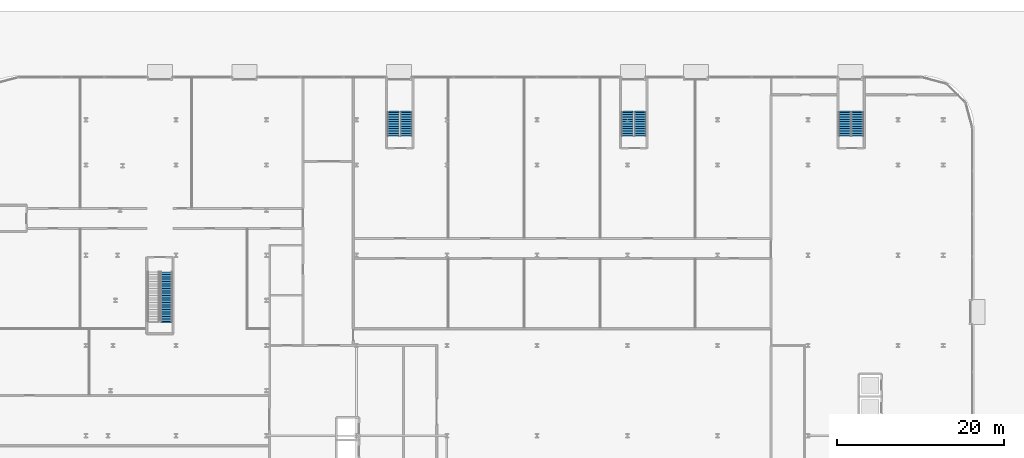
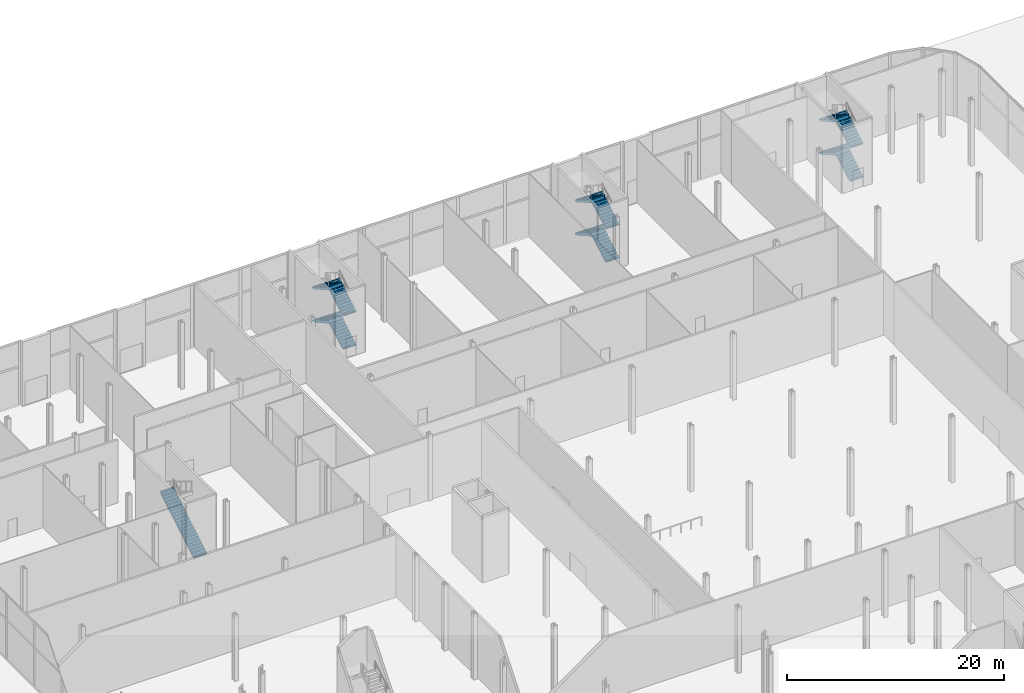
# One storey, part 34 of 46: 13 stair flights, 4 elements without a shape of their own.
"""IFC4 building model written with IfcOpenShell, lengths in metres."""

from ifc_helpers import new_model, si_unit, direction, frame, origin, place, context, subcontext, project, spatial, polyline, outline, extrude, material, layer, layer_set, type_object, element, aggregate, save


model = new_model("IFC4")

# Units and contexts
model_context = context("Model", 3, precision=1e-05, world=origin(), true_north=direction((0.0, 1.0)))
body_context = subcontext(model_context, "Body", "Model", "MODEL_VIEW")
ifc_project = project(units=[si_unit("LENGTHUNIT", "METRE"), si_unit("AREAUNIT", "SQUARE_METRE"), si_unit("VOLUMEUNIT", "CUBIC_METRE"), si_unit("PLANEANGLEUNIT", "RADIAN"), si_unit("MASSUNIT", "GRAM", prefix="KILO")], contexts=[model_context])

# Site, building, storey
site_placement = place(None, origin())
site = spatial("IfcSite", under=ifc_project, at=site_placement, CompositionType="ELEMENT")
building_placement = place(site_placement, origin())
building = spatial("IfcBuilding", under=site, at=building_placement, Name="Kheshtan School and Residences Tower", CompositionType="ELEMENT")
storey_placement = place(building_placement, origin())
storey = spatial("IfcBuildingStorey", under=building, at=storey_placement, Name="L00", CompositionType="ELEMENT", Elevation=0.0)

# Stair, stair flight
ifc_material = material(Name="Concrete C40/50", Category="concrete")
stair_type = type_object("IfcStairType", Name="Exit stair, half-turn", PredefinedType="HALF_TURN_STAIR", material=ifc_material)
stair_1_placement = place(storey_placement, origin())
stair_1 = element("IfcStair", 1, at=stair_1_placement, inside=storey, type_object=stair_type, Name="L00 Protected Exit Stair ST3", PredefinedType="HALF_TURN_STAIR")
ifc_layer = layer(ifc_material, 0.14990234375)
ifc_layer_set = layer_set([ifc_layer], Name="Stair flight 1400 Concrete C40/50")
stair_flight_type = type_object("IfcStairFlightType", Name="Stair flight 1400 Concrete C40/50", PredefinedType="STRAIGHT", material=ifc_layer_set)
stair_flight_1_placement = place(storey_placement, frame((35.64990234375, 80.89990234375, 0.0), z_axis=(0.0, 0.0, 1.0), x_axis=(0.0, 1.0, 0.0)))
stair_flight_1 = element("IfcStairFlight", 2, at=stair_flight_1_placement, type_object=stair_flight_type, Name="ST3 flight 1", NumberOfRisers=22, NumberOfTreads=21, PredefinedType="STRAIGHT", RiserHeight=0.170454545, TreadLength=0.28, context=body_context, shape_type="SweptSolid", body=[
    extrude(outline(polyline([(-0.14990234375, -0.10009765625), (-0.14990234375, 0.0), (0.0, 0.0), (0.0, 0.17041015625), (0.280029296875, 0.17041015625), (0.280029296875, 0.3408203125), (0.56005859375, 0.3408203125), (0.56005859375, 0.511474609375), (0.840087890625, 0.511474609375), (0.840087890625, 0.681884765625), (1.1201171875, 0.681884765625), (1.1201171875, 0.852294921875), (1.39990234375, 0.852294921875), (1.39990234375, 1.022705078125), (1.679931640625, 1.022705078125), (1.679931640625, 1.193115234375), (1.9599609375, 1.193115234375), (1.9599609375, 1.363525390625), (2.239990234375, 1.363525390625), (2.239990234375, 1.5341796875), (2.52001953125, 1.5341796875), (2.52001953125, 1.70458984375), (2.800048828125, 1.70458984375), (2.800048828125, 1.875), (3.080078125, 1.875), (3.080078125, 2.04541015625), (3.360107421875, 2.04541015625), (3.360107421875, 2.2158203125), (3.639892578125, 2.2158203125), (3.639892578125, 2.386474609375), (3.919921875, 2.386474609375), (3.919921875, 2.556884765625), (4.199951171875, 2.556884765625), (4.199951171875, 2.727294921875), (4.47998046875, 2.727294921875), (4.47998046875, 2.897705078125), (4.760009765625, 2.897705078125), (4.760009765625, 3.068115234375), (5.0400390625, 3.068115234375), (5.0400390625, 3.238525390625), (5.320068359375, 3.238525390625), (5.320068359375, 3.4091796875), (5.60009765625, 3.4091796875), (5.60009765625, 3.57958984375), (5.8798828125, 3.57958984375), (5.8798828125, 3.75), (5.8798828125, 3.77001953125), (6.02978515625, 3.77001953125), (6.02978515625, 3.404052734375), (0.288330078125, 0.0), (-0.14990234375, -0.10009765625)])), frame((0.0, 0.699951171875, 0.0), z_axis=(0.0, -1.0, 0.0), x_axis=(1.0, 0.0, 0.0)), (0.0, 0.0, 1.0), 1.39990234375),
])
aggregate(stair_1, [stair_flight_1])

# Stair, stair flights
stair_2_placement = place(storey_placement, origin())
stair_2 = element("IfcStair", 3, at=stair_2_placement, inside=storey, type_object=stair_type, Name="L00 School Exit Stair 062-102", PredefinedType="HALF_TURN_STAIR")
stair_flight_2_placement = place(storey_placement, frame((64.35009765625, 103.10009765625, 0.0), z_axis=(0.0, 0.0, 1.0), x_axis=(0.0, 1.0, 0.0)))
stair_flight_2 = element("IfcStairFlight", 4, at=stair_flight_2_placement, type_object=stair_flight_type, Name="PS-062-102 flight 1", NumberOfRisers=11, NumberOfTreads=10, PredefinedType="STRAIGHT", RiserHeight=0.170454545, TreadLength=0.28, context=body_context, shape_type="SweptSolid", body=[
    extrude(outline(polyline([(-0.14990234375, -0.10009765625), (-0.14990234375, 0.0), (0.0, 0.0), (0.0, 0.17041015625), (0.280029296875, 0.17041015625), (0.280029296875, 0.3408203125), (0.56005859375, 0.3408203125), (0.56005859375, 0.511474609375), (0.840087890625, 0.511474609375), (0.840087890625, 0.681884765625), (1.1201171875, 0.681884765625), (1.1201171875, 0.852294921875), (1.39990234375, 0.852294921875), (1.39990234375, 1.022705078125), (1.679931640625, 1.022705078125), (1.679931640625, 1.193115234375), (1.9599609375, 1.193115234375), (1.9599609375, 1.363525390625), (2.239990234375, 1.363525390625), (2.239990234375, 1.5341796875), (2.52001953125, 1.5341796875), (2.52001953125, 1.70458984375), (2.800048828125, 1.70458984375), (2.800048828125, 1.875), (2.800048828125, 1.89501953125), (2.949951171875, 1.89501953125), (2.949951171875, 1.529052734375), (0.288330078125, 0.0), (-0.14990234375, -0.10009765625)])), frame((0.0, 0.699951171875, 0.0), z_axis=(0.0, -1.0, 0.0), x_axis=(1.0, 0.0, 0.0)), (0.0, 0.0, 1.0), 1.39990234375),
])
stair_flight_3_placement = place(storey_placement, frame((62.800048828125, 105.89990234375, 1.875), z_axis=(0.0, 0.0, 1.0), x_axis=(0.0, -1.0, 0.0)))
stair_flight_3 = element("IfcStairFlight", 5, at=stair_flight_3_placement, type_object=stair_flight_type, Name="PS-062-102 flight 2", NumberOfRisers=11, NumberOfTreads=10, PredefinedType="STRAIGHT", RiserHeight=0.170454545, TreadLength=0.28, context=body_context, shape_type="SweptSolid", body=[
    extrude(outline(polyline([(-0.14990234375, -0.10009765625), (-0.14990234375, 0.0), (0.0, 0.0), (0.0, 0.17041015625), (0.280029296875, 0.17041015625), (0.280029296875, 0.3408203125), (0.56005859375, 0.3408203125), (0.56005859375, 0.511474609375), (0.840087890625, 0.511474609375), (0.840087890625, 0.681884765625), (1.1201171875, 0.681884765625), (1.1201171875, 0.852294921875), (1.39990234375, 0.852294921875), (1.39990234375, 1.022705078125), (1.679931640625, 1.022705078125), (1.679931640625, 1.193115234375), (1.9599609375, 1.193115234375), (1.9599609375, 1.363525390625), (2.239990234375, 1.363525390625), (2.239990234375, 1.5341796875), (2.52001953125, 1.5341796875), (2.52001953125, 1.70458984375), (2.800048828125, 1.70458984375), (2.800048828125, 1.875), (2.800048828125, 1.89501953125), (2.949951171875, 1.89501953125), (2.949951171875, 1.529052734375), (0.288330078125, 0.0), (-0.14990234375, -0.10009765625)])), frame((0.0, 0.699951171875, 0.0), z_axis=(0.0, -1.0, 0.0), x_axis=(1.0, 0.0, 0.0)), (0.0, 0.0, 1.0), 1.39990234375),
])
stair_flight_4_placement = place(storey_placement, frame((64.35009765625, 103.10009765625, 3.75), z_axis=(0.0, 0.0, 1.0), x_axis=(0.0, 1.0, 0.0)))
stair_flight_4 = element("IfcStairFlight", 6, at=stair_flight_4_placement, type_object=stair_flight_type, Name="PS-062-102 flight 3", NumberOfRisers=11, NumberOfTreads=10, PredefinedType="STRAIGHT", RiserHeight=0.170454545, TreadLength=0.28, context=body_context, shape_type="SweptSolid", body=[
    extrude(outline(polyline([(-0.14990234375, -0.10009765625), (-0.14990234375, 0.0), (0.0, 0.0), (0.0, 0.17041015625), (0.280029296875, 0.17041015625), (0.280029296875, 0.3408203125), (0.56005859375, 0.3408203125), (0.56005859375, 0.511474609375), (0.840087890625, 0.511474609375), (0.840087890625, 0.681884765625), (1.1201171875, 0.681884765625), (1.1201171875, 0.852294921875), (1.39990234375, 0.852294921875), (1.39990234375, 1.022705078125), (1.679931640625, 1.022705078125), (1.679931640625, 1.193115234375), (1.9599609375, 1.193115234375), (1.9599609375, 1.363525390625), (2.239990234375, 1.363525390625), (2.239990234375, 1.5341796875), (2.52001953125, 1.5341796875), (2.52001953125, 1.70458984375), (2.800048828125, 1.70458984375), (2.800048828125, 1.875), (2.800048828125, 1.89501953125), (2.949951171875, 1.89501953125), (2.949951171875, 1.529052734375), (0.288330078125, 0.0), (-0.14990234375, -0.10009765625)])), frame((0.0, 0.699951171875, 0.0), z_axis=(0.0, -1.0, 0.0), x_axis=(1.0, 0.0, 0.0)), (0.0, 0.0, 1.0), 1.39990234375),
])
stair_flight_5_placement = place(storey_placement, frame((62.800048828125, 105.89990234375, 5.625), z_axis=(0.0, 0.0, 1.0), x_axis=(0.0, -1.0, 0.0)))
stair_flight_5 = element("IfcStairFlight", 7, at=stair_flight_5_placement, type_object=stair_flight_type, Name="PS-062-102 flight 4", NumberOfRisers=11, NumberOfTreads=10, PredefinedType="STRAIGHT", RiserHeight=0.170454545, TreadLength=0.28, context=body_context, shape_type="SweptSolid", body=[
    extrude(outline(polyline([(-0.14990234375, -0.10009765625), (-0.14990234375, 0.0), (0.0, 0.0), (0.0, 0.17041015625), (0.280029296875, 0.17041015625), (0.280029296875, 0.3408203125), (0.56005859375, 0.3408203125), (0.56005859375, 0.511474609375), (0.840087890625, 0.511474609375), (0.840087890625, 0.681884765625), (1.1201171875, 0.681884765625), (1.1201171875, 0.852294921875), (1.39990234375, 0.852294921875), (1.39990234375, 1.022705078125), (1.679931640625, 1.022705078125), (1.679931640625, 1.193115234375), (1.9599609375, 1.193115234375), (1.9599609375, 1.363525390625), (2.239990234375, 1.363525390625), (2.239990234375, 1.5341796875), (2.52001953125, 1.5341796875), (2.52001953125, 1.70458984375), (2.800048828125, 1.70458984375), (2.800048828125, 1.875), (2.800048828125, 1.89501953125), (2.949951171875, 1.89501953125), (2.949951171875, 1.529052734375), (0.288330078125, 0.0), (-0.14990234375, -0.10009765625)])), frame((0.0, 0.699951171875, 0.0), z_axis=(0.0, -1.0, 0.0), x_axis=(1.0, 0.0, 0.0)), (0.0, 0.0, 1.0), 1.39990234375),
])
aggregate(stair_2, [stair_flight_2, stair_flight_3, stair_flight_4, stair_flight_5])

stair_3_placement = place(storey_placement, origin())
stair_3 = element("IfcStair", 8, at=stair_3_placement, inside=storey, type_object=stair_type, Name="L00 School Exit Stair 090-102", PredefinedType="HALF_TURN_STAIR")
stair_flight_6_placement = place(storey_placement, frame((92.35009765625, 103.10009765625, 0.0), z_axis=(0.0, 0.0, 1.0), x_axis=(0.0, 1.0, 0.0)))
stair_flight_6 = element("IfcStairFlight", 9, at=stair_flight_6_placement, type_object=stair_flight_type, Name="PS-090-102 flight 1", NumberOfRisers=11, NumberOfTreads=10, PredefinedType="STRAIGHT", RiserHeight=0.170454545, TreadLength=0.28, context=body_context, shape_type="SweptSolid", body=[
    extrude(outline(polyline([(-0.14990234375, -0.10009765625), (-0.14990234375, 0.0), (0.0, 0.0), (0.0, 0.17041015625), (0.280029296875, 0.17041015625), (0.280029296875, 0.3408203125), (0.56005859375, 0.3408203125), (0.56005859375, 0.511474609375), (0.840087890625, 0.511474609375), (0.840087890625, 0.681884765625), (1.1201171875, 0.681884765625), (1.1201171875, 0.852294921875), (1.39990234375, 0.852294921875), (1.39990234375, 1.022705078125), (1.679931640625, 1.022705078125), (1.679931640625, 1.193115234375), (1.9599609375, 1.193115234375), (1.9599609375, 1.363525390625), (2.239990234375, 1.363525390625), (2.239990234375, 1.5341796875), (2.52001953125, 1.5341796875), (2.52001953125, 1.70458984375), (2.800048828125, 1.70458984375), (2.800048828125, 1.875), (2.800048828125, 1.89501953125), (2.949951171875, 1.89501953125), (2.949951171875, 1.529052734375), (0.288330078125, 0.0), (-0.14990234375, -0.10009765625)])), frame((0.0, 0.699951171875, 0.0), z_axis=(0.0, -1.0, 0.0), x_axis=(1.0, 0.0, 0.0)), (0.0, 0.0, 1.0), 1.39990234375),
])
stair_flight_7_placement = place(storey_placement, frame((90.800048828125, 105.89990234375, 1.875), z_axis=(0.0, 0.0, 1.0), x_axis=(0.0, -1.0, 0.0)))
stair_flight_7 = element("IfcStairFlight", 10, at=stair_flight_7_placement, type_object=stair_flight_type, Name="PS-090-102 flight 2", NumberOfRisers=11, NumberOfTreads=10, PredefinedType="STRAIGHT", RiserHeight=0.170454545, TreadLength=0.28, context=body_context, shape_type="SweptSolid", body=[
    extrude(outline(polyline([(-0.14990234375, -0.10009765625), (-0.14990234375, 0.0), (0.0, 0.0), (0.0, 0.17041015625), (0.280029296875, 0.17041015625), (0.280029296875, 0.3408203125), (0.56005859375, 0.3408203125), (0.56005859375, 0.511474609375), (0.840087890625, 0.511474609375), (0.840087890625, 0.681884765625), (1.1201171875, 0.681884765625), (1.1201171875, 0.852294921875), (1.39990234375, 0.852294921875), (1.39990234375, 1.022705078125), (1.679931640625, 1.022705078125), (1.679931640625, 1.193115234375), (1.9599609375, 1.193115234375), (1.9599609375, 1.363525390625), (2.239990234375, 1.363525390625), (2.239990234375, 1.5341796875), (2.52001953125, 1.5341796875), (2.52001953125, 1.70458984375), (2.800048828125, 1.70458984375), (2.800048828125, 1.875), (2.800048828125, 1.89501953125), (2.949951171875, 1.89501953125), (2.949951171875, 1.529052734375), (0.288330078125, 0.0), (-0.14990234375, -0.10009765625)])), frame((0.0, 0.699951171875, 0.0), z_axis=(0.0, -1.0, 0.0), x_axis=(1.0, 0.0, 0.0)), (0.0, 0.0, 1.0), 1.39990234375),
])
stair_flight_8_placement = place(storey_placement, frame((92.35009765625, 103.10009765625, 3.75), z_axis=(0.0, 0.0, 1.0), x_axis=(0.0, 1.0, 0.0)))
stair_flight_8 = element("IfcStairFlight", 11, at=stair_flight_8_placement, type_object=stair_flight_type, Name="PS-090-102 flight 3", NumberOfRisers=11, NumberOfTreads=10, PredefinedType="STRAIGHT", RiserHeight=0.170454545, TreadLength=0.28, context=body_context, shape_type="SweptSolid", body=[
    extrude(outline(polyline([(-0.14990234375, -0.10009765625), (-0.14990234375, 0.0), (0.0, 0.0), (0.0, 0.17041015625), (0.280029296875, 0.17041015625), (0.280029296875, 0.3408203125), (0.56005859375, 0.3408203125), (0.56005859375, 0.511474609375), (0.840087890625, 0.511474609375), (0.840087890625, 0.681884765625), (1.1201171875, 0.681884765625), (1.1201171875, 0.852294921875), (1.39990234375, 0.852294921875), (1.39990234375, 1.022705078125), (1.679931640625, 1.022705078125), (1.679931640625, 1.193115234375), (1.9599609375, 1.193115234375), (1.9599609375, 1.363525390625), (2.239990234375, 1.363525390625), (2.239990234375, 1.5341796875), (2.52001953125, 1.5341796875), (2.52001953125, 1.70458984375), (2.800048828125, 1.70458984375), (2.800048828125, 1.875), (2.800048828125, 1.89501953125), (2.949951171875, 1.89501953125), (2.949951171875, 1.529052734375), (0.288330078125, 0.0), (-0.14990234375, -0.10009765625)])), frame((0.0, 0.699951171875, 0.0), z_axis=(0.0, -1.0, 0.0), x_axis=(1.0, 0.0, 0.0)), (0.0, 0.0, 1.0), 1.39990234375),
])
stair_flight_9_placement = place(storey_placement, frame((90.800048828125, 105.89990234375, 5.625), z_axis=(0.0, 0.0, 1.0), x_axis=(0.0, -1.0, 0.0)))
stair_flight_9 = element("IfcStairFlight", 12, at=stair_flight_9_placement, type_object=stair_flight_type, Name="PS-090-102 flight 4", NumberOfRisers=11, NumberOfTreads=10, PredefinedType="STRAIGHT", RiserHeight=0.170454545, TreadLength=0.28, context=body_context, shape_type="SweptSolid", body=[
    extrude(outline(polyline([(-0.14990234375, -0.10009765625), (-0.14990234375, 0.0), (0.0, 0.0), (0.0, 0.17041015625), (0.280029296875, 0.17041015625), (0.280029296875, 0.3408203125), (0.56005859375, 0.3408203125), (0.56005859375, 0.511474609375), (0.840087890625, 0.511474609375), (0.840087890625, 0.681884765625), (1.1201171875, 0.681884765625), (1.1201171875, 0.852294921875), (1.39990234375, 0.852294921875), (1.39990234375, 1.022705078125), (1.679931640625, 1.022705078125), (1.679931640625, 1.193115234375), (1.9599609375, 1.193115234375), (1.9599609375, 1.363525390625), (2.239990234375, 1.363525390625), (2.239990234375, 1.5341796875), (2.52001953125, 1.5341796875), (2.52001953125, 1.70458984375), (2.800048828125, 1.70458984375), (2.800048828125, 1.875), (2.800048828125, 1.89501953125), (2.949951171875, 1.89501953125), (2.949951171875, 1.529052734375), (0.288330078125, 0.0), (-0.14990234375, -0.10009765625)])), frame((0.0, 0.699951171875, 0.0), z_axis=(0.0, -1.0, 0.0), x_axis=(1.0, 0.0, 0.0)), (0.0, 0.0, 1.0), 1.39990234375),
])
aggregate(stair_3, [stair_flight_6, stair_flight_7, stair_flight_8, stair_flight_9])

stair_4_placement = place(storey_placement, origin())
stair_4 = element("IfcStair", 13, at=stair_4_placement, inside=storey, type_object=stair_type, Name="L00 School Exit Stair 116-102", PredefinedType="HALF_TURN_STAIR")
stair_flight_10_placement = place(storey_placement, frame((118.35009765625, 103.10009765625, 0.0), z_axis=(0.0, 0.0, 1.0), x_axis=(0.0, 1.0, 0.0)))
stair_flight_10 = element("IfcStairFlight", 14, at=stair_flight_10_placement, type_object=stair_flight_type, Name="PS-116-102 flight 1", NumberOfRisers=11, NumberOfTreads=10, PredefinedType="STRAIGHT", RiserHeight=0.170454545, TreadLength=0.28, context=body_context, shape_type="SweptSolid", body=[
    extrude(outline(polyline([(-0.14990234375, -0.10009765625), (-0.14990234375, 0.0), (0.0, 0.0), (0.0, 0.17041015625), (0.280029296875, 0.17041015625), (0.280029296875, 0.3408203125), (0.56005859375, 0.3408203125), (0.56005859375, 0.511474609375), (0.840087890625, 0.511474609375), (0.840087890625, 0.681884765625), (1.1201171875, 0.681884765625), (1.1201171875, 0.852294921875), (1.39990234375, 0.852294921875), (1.39990234375, 1.022705078125), (1.679931640625, 1.022705078125), (1.679931640625, 1.193115234375), (1.9599609375, 1.193115234375), (1.9599609375, 1.363525390625), (2.239990234375, 1.363525390625), (2.239990234375, 1.5341796875), (2.52001953125, 1.5341796875), (2.52001953125, 1.70458984375), (2.800048828125, 1.70458984375), (2.800048828125, 1.875), (2.800048828125, 1.89501953125), (2.949951171875, 1.89501953125), (2.949951171875, 1.529052734375), (0.288330078125, 0.0), (-0.14990234375, -0.10009765625)])), frame((0.0, 0.699951171875, 0.0), z_axis=(0.0, -1.0, 0.0), x_axis=(1.0, 0.0, 0.0)), (0.0, 0.0, 1.0), 1.39990234375),
])
stair_flight_11_placement = place(storey_placement, frame((116.800048828125, 105.89990234375, 1.875), z_axis=(0.0, 0.0, 1.0), x_axis=(0.0, -1.0, 0.0)))
stair_flight_11 = element("IfcStairFlight", 15, at=stair_flight_11_placement, type_object=stair_flight_type, Name="PS-116-102 flight 2", NumberOfRisers=11, NumberOfTreads=10, PredefinedType="STRAIGHT", RiserHeight=0.170454545, TreadLength=0.28, context=body_context, shape_type="SweptSolid", body=[
    extrude(outline(polyline([(-0.14990234375, -0.10009765625), (-0.14990234375, 0.0), (0.0, 0.0), (0.0, 0.17041015625), (0.280029296875, 0.17041015625), (0.280029296875, 0.3408203125), (0.56005859375, 0.3408203125), (0.56005859375, 0.511474609375), (0.840087890625, 0.511474609375), (0.840087890625, 0.681884765625), (1.1201171875, 0.681884765625), (1.1201171875, 0.852294921875), (1.39990234375, 0.852294921875), (1.39990234375, 1.022705078125), (1.679931640625, 1.022705078125), (1.679931640625, 1.193115234375), (1.9599609375, 1.193115234375), (1.9599609375, 1.363525390625), (2.239990234375, 1.363525390625), (2.239990234375, 1.5341796875), (2.52001953125, 1.5341796875), (2.52001953125, 1.70458984375), (2.800048828125, 1.70458984375), (2.800048828125, 1.875), (2.800048828125, 1.89501953125), (2.949951171875, 1.89501953125), (2.949951171875, 1.529052734375), (0.288330078125, 0.0), (-0.14990234375, -0.10009765625)])), frame((0.0, 0.699951171875, 0.0), z_axis=(0.0, -1.0, 0.0), x_axis=(1.0, 0.0, 0.0)), (0.0, 0.0, 1.0), 1.39990234375),
])
stair_flight_12_placement = place(storey_placement, frame((118.35009765625, 103.10009765625, 3.75), z_axis=(0.0, 0.0, 1.0), x_axis=(0.0, 1.0, 0.0)))
stair_flight_12 = element("IfcStairFlight", 16, at=stair_flight_12_placement, type_object=stair_flight_type, Name="PS-116-102 flight 3", NumberOfRisers=11, NumberOfTreads=10, PredefinedType="STRAIGHT", RiserHeight=0.170454545, TreadLength=0.28, context=body_context, shape_type="SweptSolid", body=[
    extrude(outline(polyline([(-0.14990234375, -0.10009765625), (-0.14990234375, 0.0), (0.0, 0.0), (0.0, 0.17041015625), (0.280029296875, 0.17041015625), (0.280029296875, 0.3408203125), (0.56005859375, 0.3408203125), (0.56005859375, 0.511474609375), (0.840087890625, 0.511474609375), (0.840087890625, 0.681884765625), (1.1201171875, 0.681884765625), (1.1201171875, 0.852294921875), (1.39990234375, 0.852294921875), (1.39990234375, 1.022705078125), (1.679931640625, 1.022705078125), (1.679931640625, 1.193115234375), (1.9599609375, 1.193115234375), (1.9599609375, 1.363525390625), (2.239990234375, 1.363525390625), (2.239990234375, 1.5341796875), (2.52001953125, 1.5341796875), (2.52001953125, 1.70458984375), (2.800048828125, 1.70458984375), (2.800048828125, 1.875), (2.800048828125, 1.89501953125), (2.949951171875, 1.89501953125), (2.949951171875, 1.529052734375), (0.288330078125, 0.0), (-0.14990234375, -0.10009765625)])), frame((0.0, 0.699951171875, 0.0), z_axis=(0.0, -1.0, 0.0), x_axis=(1.0, 0.0, 0.0)), (0.0, 0.0, 1.0), 1.39990234375),
])
stair_flight_13_placement = place(storey_placement, frame((116.800048828125, 105.89990234375, 5.625), z_axis=(0.0, 0.0, 1.0), x_axis=(0.0, -1.0, 0.0)))
stair_flight_13 = element("IfcStairFlight", 17, at=stair_flight_13_placement, type_object=stair_flight_type, Name="PS-116-102 flight 4", NumberOfRisers=11, NumberOfTreads=10, PredefinedType="STRAIGHT", RiserHeight=0.170454545, TreadLength=0.28, context=body_context, shape_type="SweptSolid", body=[
    extrude(outline(polyline([(-0.14990234375, -0.10009765625), (-0.14990234375, 0.0), (0.0, 0.0), (0.0, 0.17041015625), (0.280029296875, 0.17041015625), (0.280029296875, 0.3408203125), (0.56005859375, 0.3408203125), (0.56005859375, 0.511474609375), (0.840087890625, 0.511474609375), (0.840087890625, 0.681884765625), (1.1201171875, 0.681884765625), (1.1201171875, 0.852294921875), (1.39990234375, 0.852294921875), (1.39990234375, 1.022705078125), (1.679931640625, 1.022705078125), (1.679931640625, 1.193115234375), (1.9599609375, 1.193115234375), (1.9599609375, 1.363525390625), (2.239990234375, 1.363525390625), (2.239990234375, 1.5341796875), (2.52001953125, 1.5341796875), (2.52001953125, 1.70458984375), (2.800048828125, 1.70458984375), (2.800048828125, 1.875), (2.800048828125, 1.89501953125), (2.949951171875, 1.89501953125), (2.949951171875, 1.529052734375), (0.288330078125, 0.0), (-0.14990234375, -0.10009765625)])), frame((0.0, 0.699951171875, 0.0), z_axis=(0.0, -1.0, 0.0), x_axis=(1.0, 0.0, 0.0)), (0.0, 0.0, 1.0), 1.39990234375),
])
aggregate(stair_4, [stair_flight_10, stair_flight_11, stair_flight_12, stair_flight_13])

save(model, "model.ifc")
